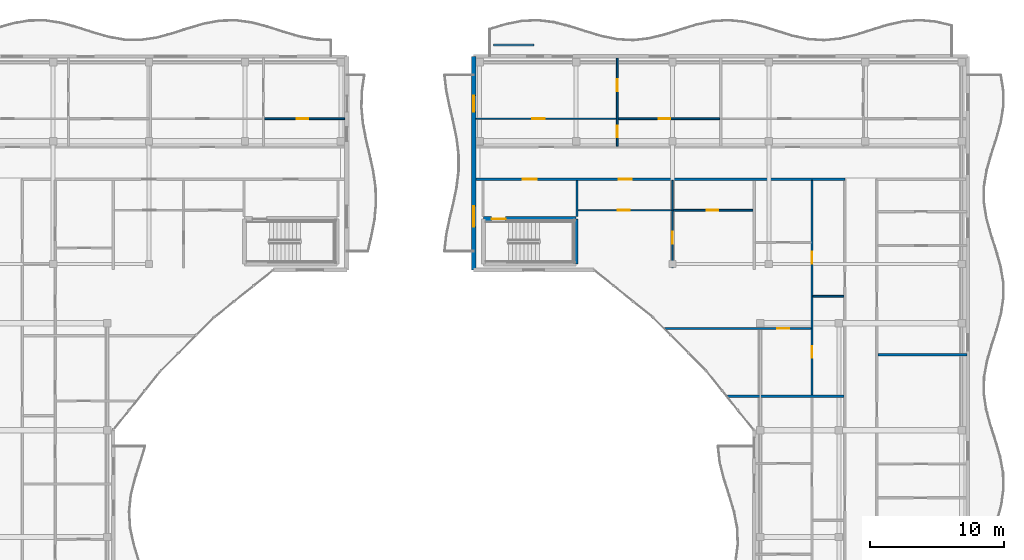
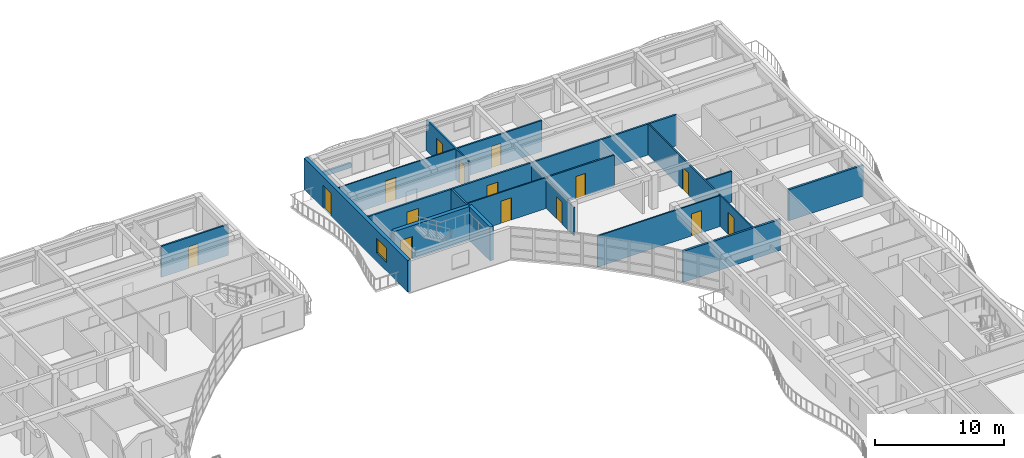
# One storey, part 43 of 68: 18 walls, 15 doors, 1 window, 16 openings.
"""IFC4 building model written with IfcOpenShell, lengths in metres."""

from ifc_helpers import new_model, si_unit, direction, frame, frame_2d, origin, place, context, subcontext, project, spatial, rectangle, extrude, material, layer, layer_set, type_object, element, fill, save


model = new_model("IFC4")

# Units and contexts
model_context = context("Model", 3, precision=1e-05, world=origin(), true_north=direction((0.0, 1.0)))
body_context = subcontext(model_context, "Body", "Model", "MODEL_VIEW")
ifc_project = project(units=[si_unit("LENGTHUNIT", "METRE"), si_unit("AREAUNIT", "SQUARE_METRE"), si_unit("VOLUMEUNIT", "CUBIC_METRE"), si_unit("PLANEANGLEUNIT", "RADIAN"), si_unit("MASSUNIT", "GRAM", prefix="KILO")], contexts=[model_context])

# Site, building, storey
site_placement = place(None, origin())
site = spatial("IfcSite", under=ifc_project, at=site_placement, CompositionType="ELEMENT")
building_placement = place(site_placement, origin())
building = spatial("IfcBuilding", under=site, at=building_placement, Name="Keldmere Railside Commons", CompositionType="ELEMENT")
storey_placement = place(building_placement, frame((0.0, 0.0, 23.360107421875)))
storey = spatial("IfcBuildingStorey", under=building, at=storey_placement, Name="L07", CompositionType="ELEMENT", Elevation=23.360107421875)

# Walls
ifc_material_1 = material(Name="Acoustic Gypsum Board Partition", Category="gypsum")
ifc_layer_1 = layer(ifc_material_1, 0.179931640625, Name="Acoustic Demising Partition 180")
ifc_layer_set_1 = layer_set([ifc_layer_1], Name="Acoustic Gypsum Board Partition")
wall_type_1 = type_object("IfcWallType", Name="Acoustic Demising Partition 180", PredefinedType="PARTITIONING", material=ifc_layer_set_1)
wall_1_placement = place(storey_placement, frame((166.013427734375, 90.5400390625, 0.0), z_axis=(0.0, 0.0, 1.0), x_axis=(1.0, 0.0, 0.0)))
element("IfcWall", 1, at=wall_1_placement, inside=storey, type_object=wall_type_1, Name="IW-1 IW-L07-1691", PredefinedType="PARTITIONING", context=body_context, shape_type="SweptSolid", body=[
    extrude(rectangle(XDim=8.70654296875, YDim=0.179931640625, at=frame_2d((4.353271484375, 0.0))), origin(), (0.0, 0.0, 1.0), 2.934814453125),
])
wall_2_placement = place(storey_placement, frame((177.280029296875, 93.64990234375, 0.0), z_axis=(0.0, 0.0, 1.0), x_axis=(1.0, 0.0, 0.0)))
element("IfcWall", 2, at=wall_2_placement, inside=storey, type_object=wall_type_1, Name="IW-1 IW-L07-1714", PredefinedType="PARTITIONING", context=body_context, shape_type="SweptSolid", body=[
    extrude(rectangle(XDim=6.679931640625, YDim=0.179931640625, at=frame_2d((3.33984375, 0.0))), origin(), (0.0, 0.0, 1.0), 2.934814453125),
])

# Wall, openings, doors
ifc_layer_2 = layer(ifc_material_1, 0.1201171875, Name="Apartment Interior Partition 120")
ifc_layer_set_2 = layer_set([ifc_layer_2], Name="Acoustic Gypsum Board Partition")
wall_type_2 = type_object("IfcWallType", Name="Apartment Interior Partition 120", PredefinedType="PARTITIONING", material=ifc_layer_set_2)
wall_3_placement = place(storey_placement, frame((172.340087890625, 90.6298828125, 0.0), z_axis=(0.0, 0.0, 1.0), x_axis=(0.0, 1.0, 0.0)))
wall_3 = element("IfcWall", 3, at=wall_3_placement, inside=storey, type_object=wall_type_2, Name="IW-4 IW-L07-1700", PredefinedType="PARTITIONING", context=body_context, shape_type="SweptSolid", body=[
    extrude(rectangle(XDim=16.090087890625, YDim=0.1201171875, at=frame_2d((8.044921875, 0.0))), origin(), (0.0, 0.0, 1.0), 2.934814453125),
])
opening_1_placement = place(wall_3_placement, frame((2.81201171875, 0.0, 0.0)))
opening_1 = element("IfcOpeningElement", 4, at=opening_1_placement, cuts=wall_3, Name="Opening ID-04", PredefinedType="OPENING", context=body_context, shape_type="SweptSolid", body=[
    extrude(rectangle(XDim=0.860107421875, YDim=2.10009765625, at=frame_2d((0.43017578125, 1.050048828125))), frame((0.0, 0.070068359375, 0.0), z_axis=(0.0, -1.0, 0.0), x_axis=(1.0, 0.0, 0.0)), (0.0, 0.0, 1.0), 0.14013671875),
])
opening_2_placement = place(wall_3_placement, frame((9.833251953125, 0.0, 0.0)))
opening_2 = element("IfcOpeningElement", 5, at=opening_2_placement, cuts=wall_3, Name="Opening ID-03", PredefinedType="OPENING", context=body_context, shape_type="SweptSolid", body=[
    extrude(rectangle(XDim=0.919921875, YDim=2.10009765625, at=frame_2d((0.4599609375, 1.050048828125))), frame((0.0, 0.070068359375, 0.0), z_axis=(0.0, -1.0, 0.0), x_axis=(1.0, 0.0, 0.0)), (0.0, 0.0, 1.0), 0.14013671875),
])
ifc_material_2 = material(Name="Engineered Oak Timber", Category="wood")
door_type_1 = type_object("IfcDoorType", Name="Apartment Bathroom Door 860x2100", OperationType="NOTDEFINED", PredefinedType="DOOR", material=ifc_material_2)
door_1_placement = place(opening_1_placement, origin())
door_1 = element("IfcDoor", 6, at=door_1_placement, inside=storey, type_object=door_type_1, Name="ID-04 IDR-L07-1543", OperationType="SINGLE_SWING_LEFT", OverallHeight=2.10009765625, OverallWidth=0.860107421875, PredefinedType="DOOR", context=body_context, shape_type="SweptSolid", body=[
    extrude(rectangle(XDim=0.860107421875, YDim=2.10009765625, at=frame_2d((0.43017578125, 1.050048828125))), frame((0.0, 0.02490234375, 0.0), z_axis=(0.0, -1.0, 0.0), x_axis=(1.0, 0.0, 0.0)), (0.0, 0.0, 1.0), 0.050048828125),
])
fill(opening_1, door_1)
door_type_2 = type_object("IfcDoorType", Name="Kitchen Pocket-Frame Swing Door 920x2100", OperationType="NOTDEFINED", PredefinedType="DOOR", material=ifc_material_2)
door_2_placement = place(opening_2_placement, origin())
door_2 = element("IfcDoor", 7, at=door_2_placement, inside=storey, type_object=door_type_2, Name="ID-03 IDR-L07-1544", OperationType="SINGLE_SWING_RIGHT", OverallHeight=2.10009765625, OverallWidth=0.919921875, PredefinedType="DOOR", context=body_context, shape_type="SweptSolid", body=[
    extrude(rectangle(XDim=0.919921875, YDim=2.10009765625, at=frame_2d((0.4599609375, 1.050048828125))), frame((0.0, 0.02490234375, 0.0), z_axis=(0.0, -1.0, 0.0), x_axis=(1.0, 0.0, 0.0)), (0.0, 0.0, 1.0), 0.050048828125),
])
fill(opening_2, door_2)

# Wall, opening, door
wall_4_placement = place(storey_placement, frame((161.3125, 95.6201171875, 0.0), z_axis=(0.0, 0.0, 1.0), x_axis=(1.0, 0.0, 0.0)))
wall_4 = element("IfcWall", 8, at=wall_4_placement, inside=storey, type_object=wall_type_2, Name="IW-4 IW-L07-1702", PredefinedType="PARTITIONING", context=body_context, shape_type="SweptSolid", body=[
    extrude(rectangle(XDim=10.967529296875, YDim=0.1201171875, at=frame_2d((5.48388671875, 0.0))), origin(), (0.0, 0.0, 1.0), 2.934814453125),
])
opening_3_placement = place(wall_4_placement, frame((8.422119140625, 0.0, 0.0)))
opening_3 = element("IfcOpeningElement", 9, at=opening_3_placement, cuts=wall_4, Name="Opening ID-01", PredefinedType="OPENING", context=body_context, shape_type="SweptSolid", body=[
    extrude(rectangle(XDim=0.89990234375, YDim=2.10009765625, at=frame_2d((0.449951171875, 1.050048828125))), frame((0.0, 0.070068359375, 0.0), z_axis=(0.0, -1.0, 0.0), x_axis=(1.0, 0.0, 0.0)), (0.0, 0.0, 1.0), 0.14013671875),
])
door_type_3 = type_object("IfcDoorType", Name="Primary Bedroom Door 900x2100", OperationType="NOTDEFINED", PredefinedType="DOOR", material=ifc_material_2)
door_3_placement = place(opening_3_placement, origin())
door_3 = element("IfcDoor", 10, at=door_3_placement, inside=storey, type_object=door_type_3, Name="ID-01 IDR-L07-1546", OperationType="SINGLE_SWING_RIGHT", OverallHeight=2.10009765625, OverallWidth=0.89990234375, PredefinedType="DOOR", context=body_context, shape_type="SweptSolid", body=[
    extrude(rectangle(XDim=0.89990234375, YDim=2.10009765625, at=frame_2d((0.449951171875, 1.050048828125))), frame((0.0, 0.02490234375, 0.0), z_axis=(0.0, -1.0, 0.0), x_axis=(1.0, 0.0, 0.0)), (0.0, 0.0, 1.0), 0.050048828125),
])
fill(opening_3, door_3)

# Wall, openings, doors
wall_5_placement = place(storey_placement, frame((157.75, 109.280029296875, 0.0), z_axis=(0.0, 0.0, 1.0), x_axis=(0.0, 1.0, 0.0)))
wall_5 = element("IfcWall", 11, at=wall_5_placement, inside=storey, type_object=wall_type_2, Name="IW-4 IW-L07-1705", PredefinedType="PARTITIONING", context=body_context, shape_type="SweptSolid", body=[
    extrude(rectangle(XDim=6.590087890625, YDim=0.1201171875, at=frame_2d((3.294921875, 0.0))), origin(), (0.0, 0.0, 1.0), 2.934814453125),
])
opening_4_placement = place(wall_5_placement, frame((0.656005859375, 0.0, 0.0)))
opening_4 = element("IfcOpeningElement", 12, at=opening_4_placement, cuts=wall_5, Name="Opening ID-04", PredefinedType="OPENING", context=body_context, shape_type="SweptSolid", body=[
    extrude(rectangle(XDim=0.860107421875, YDim=2.10009765625, at=frame_2d((0.43017578125, 1.050048828125))), frame((0.0, 0.070068359375, 0.0), z_axis=(0.0, -1.0, 0.0), x_axis=(1.0, 0.0, 0.0)), (0.0, 0.0, 1.0), 0.14013671875),
])
opening_5_placement = place(wall_5_placement, frame((4.093017578125, 0.0, 0.0)))
opening_5 = element("IfcOpeningElement", 13, at=opening_5_placement, cuts=wall_5, Name="Opening ID-01", PredefinedType="OPENING", context=body_context, shape_type="SweptSolid", body=[
    extrude(rectangle(XDim=0.89990234375, YDim=2.10009765625, at=frame_2d((0.449951171875, 1.050048828125))), frame((0.0, 0.070068359375, 0.0), z_axis=(0.0, -1.0, 0.0), x_axis=(1.0, 0.0, 0.0)), (0.0, 0.0, 1.0), 0.14013671875),
])
door_4_placement = place(opening_4_placement, origin())
door_4 = element("IfcDoor", 14, at=door_4_placement, inside=storey, type_object=door_type_1, Name="ID-04 IDR-L07-1550", OperationType="SINGLE_SWING_RIGHT", OverallHeight=2.10009765625, OverallWidth=0.860107421875, PredefinedType="DOOR", context=body_context, shape_type="SweptSolid", body=[
    extrude(rectangle(XDim=0.860107421875, YDim=2.10009765625, at=frame_2d((0.43017578125, 1.050048828125))), frame((0.0, 0.02490234375, 0.0), z_axis=(0.0, -1.0, 0.0), x_axis=(1.0, 0.0, 0.0)), (0.0, 0.0, 1.0), 0.050048828125),
])
fill(opening_4, door_4)
door_5_placement = place(opening_5_placement, origin())
door_5 = element("IfcDoor", 15, at=door_5_placement, inside=storey, type_object=door_type_3, Name="ID-01 IDR-L07-1551", OperationType="SINGLE_SWING_LEFT", OverallHeight=2.10009765625, OverallWidth=0.89990234375, PredefinedType="DOOR", context=body_context, shape_type="SweptSolid", body=[
    extrude(rectangle(XDim=0.89990234375, YDim=2.10009765625, at=frame_2d((0.449951171875, 1.050048828125))), frame((0.0, 0.02490234375, 0.0), z_axis=(0.0, -1.0, 0.0), x_axis=(1.0, 0.0, 0.0)), (0.0, 0.0, 1.0), 0.050048828125),
])
fill(opening_5, door_5)

# Wall, opening, door
wall_6_placement = place(storey_placement, frame((161.8798828125, 100.159912109375, 0.0), z_axis=(0.0, 0.0, 1.0), x_axis=(0.0, 1.0, 0.0)))
wall_6 = element("IfcWall", 16, at=wall_6_placement, inside=storey, type_object=wall_type_2, Name="IW-4 IW-L07-1711", PredefinedType="PARTITIONING", context=body_context, shape_type="SweptSolid", body=[
    extrude(rectangle(XDim=6.56005859375, YDim=0.1201171875, at=frame_2d((3.280029296875, 0.0))), origin(), (0.0, 0.0, 1.0), 2.679931640625),
])
opening_6_placement = place(wall_6_placement, frame((1.810302734375, 0.0, 0.0)))
opening_6 = element("IfcOpeningElement", 17, at=opening_6_placement, cuts=wall_6, Name="Opening ID-02", PredefinedType="OPENING", context=body_context, shape_type="SweptSolid", body=[
    extrude(rectangle(XDim=0.8798828125, YDim=2.10009765625, at=frame_2d((0.43994140625, 1.050048828125))), frame((0.0, 0.070068359375, 0.0), z_axis=(0.0, -1.0, 0.0), x_axis=(1.0, 0.0, 0.0)), (0.0, 0.0, 1.0), 0.14013671875),
])
door_type_4 = type_object("IfcDoorType", Name="Secondary Bedroom Door 880x2100", OperationType="NOTDEFINED", PredefinedType="DOOR", material=ifc_material_2)
door_6_placement = place(opening_6_placement, origin())
door_6 = element("IfcDoor", 18, at=door_6_placement, inside=storey, type_object=door_type_4, Name="ID-02 IDR-L07-1560", OperationType="SINGLE_SWING_RIGHT", OverallHeight=2.10009765625, OverallWidth=0.8798828125, PredefinedType="DOOR", context=body_context, shape_type="SweptSolid", body=[
    extrude(rectangle(XDim=0.8798828125, YDim=2.10009765625, at=frame_2d((0.43994140625, 1.050048828125))), frame((0.0, 0.02490234375, 0.0), z_axis=(0.0, -1.0, 0.0), x_axis=(1.0, 0.0, 0.0)), (0.0, 0.0, 1.0), 0.050048828125),
])
fill(opening_6, door_6)

# Wall
ifc_material_3 = material(Name="White Precast Concrete H-35 (C35/45)", Category="concrete")
ifc_layer_3 = layer(ifc_material_3, 0.169921875, Name="Balcony Planter Kerb Wall 170")
ifc_layer_set_3 = layer_set([ifc_layer_3], Name="White Precast Concrete H-35 (C35/45)")
wall_type_3 = type_object("IfcWallType", Name="Balcony Planter Kerb Wall 170", PredefinedType="PARAPET", material=ifc_layer_set_3)
wall_7_placement = place(storey_placement, frame((148.5, 116.85009765625, 0.0), z_axis=(0.0, 0.0, 1.0), x_axis=(1.0, 0.0, 0.0)))
element("IfcWall", 19, at=wall_7_placement, inside=storey, type_object=wall_type_3, Name="PW-2 PKBA-L07-0930", PredefinedType="PARAPET", context=body_context, shape_type="SweptSolid", body=[
    extrude(rectangle(XDim=3.0, YDim=0.169921875, at=frame_2d((1.5, 0.0))), origin(), (0.0, 0.0, 1.0), 0.449951171875),
])

# Wall, opening, door
ifc_layer_4 = layer(ifc_material_1, 0.10009765625, Name="Closet Light Partition 100")
ifc_layer_set_4 = layer_set([ifc_layer_4], Name="Acoustic Gypsum Board Partition")
wall_type_4 = type_object("IfcWallType", Name="Closet Light Partition 100", PredefinedType="PARTITIONING", material=ifc_layer_set_4)
wall_8_placement = place(storey_placement, frame((147.159912109375, 111.330078125, 0.0), z_axis=(0.0, 0.0, 1.0), x_axis=(1.0, 0.0, 0.0)))
wall_8 = element("IfcWall", 20, at=wall_8_placement, inside=storey, type_object=wall_type_4, Name="IW-6 IW-L07-1707", PredefinedType="PARTITIONING", context=body_context, shape_type="SweptSolid", body=[
    extrude(rectangle(XDim=10.530029296875, YDim=0.10009765625, at=frame_2d((5.26513671875, 0.0))), origin(), (0.0, 0.0, 1.0), 2.934814453125),
])
opening_7_placement = place(wall_8_placement, frame((4.236083984375, 0.0, 0.0)))
opening_7 = element("IfcOpeningElement", 21, at=opening_7_placement, cuts=wall_8, Name="Opening ID-03", PredefinedType="OPENING", context=body_context, shape_type="SweptSolid", body=[
    extrude(rectangle(XDim=0.919921875, YDim=2.10009765625, at=frame_2d((0.4599609375, 1.050048828125))), frame((0.0, 0.06005859375, 0.0), z_axis=(0.0, -1.0, 0.0), x_axis=(1.0, 0.0, 0.0)), (0.0, 0.0, 1.0), 0.1201171875),
])
door_7_placement = place(opening_7_placement, origin())
door_7 = element("IfcDoor", 22, at=door_7_placement, inside=storey, type_object=door_type_2, Name="ID-03 IDR-L07-1549", OperationType="SINGLE_SWING_LEFT", OverallHeight=2.10009765625, OverallWidth=0.919921875, PredefinedType="DOOR", context=body_context, shape_type="SweptSolid", body=[
    extrude(rectangle(XDim=0.919921875, YDim=2.10009765625, at=frame_2d((0.4599609375, 1.050048828125))), frame((0.0, 0.02490234375, 0.0), z_axis=(0.0, -1.0, 0.0), x_axis=(1.0, 0.0, 0.0)), (0.0, 0.0, 1.0), 0.050048828125),
])
fill(opening_7, door_7)

wall_9_placement = place(storey_placement, frame((154.800048828125, 104.469970703125, 0.0), z_axis=(0.0, 0.0, 1.0), x_axis=(1.0, 0.0, 0.0)))
wall_9 = element("IfcWall", 23, at=wall_9_placement, inside=storey, type_object=wall_type_4, Name="IW-6 IW-L07-1713", PredefinedType="PARTITIONING", context=body_context, shape_type="SweptSolid", body=[
    extrude(rectangle(XDim=7.02001953125, YDim=0.10009765625, at=frame_2d((3.510009765625, 0.0))), origin(), (0.0, 0.0, 1.0), 2.934814453125),
])
opening_8_placement = place(wall_9_placement, frame((2.9736328125, 0.0, 0.0)))
opening_8 = element("IfcOpeningElement", 24, at=opening_8_placement, cuts=wall_9, Name="Opening ID-03", PredefinedType="OPENING", context=body_context, shape_type="SweptSolid", body=[
    extrude(rectangle(XDim=0.919921875, YDim=2.10009765625, at=frame_2d((0.4599609375, 1.050048828125))), frame((0.0, 0.06005859375, 0.0), z_axis=(0.0, -1.0, 0.0), x_axis=(1.0, 0.0, 0.0)), (0.0, 0.0, 1.0), 0.1201171875),
])
door_8_placement = place(opening_8_placement, origin())
door_8 = element("IfcDoor", 25, at=door_8_placement, inside=storey, type_object=door_type_2, Name="ID-03 IDR-L07-1559", OperationType="SINGLE_SWING_LEFT", OverallHeight=2.10009765625, OverallWidth=0.919921875, PredefinedType="DOOR", context=body_context, shape_type="SweptSolid", body=[
    extrude(rectangle(XDim=0.919921875, YDim=2.10009765625, at=frame_2d((0.4599609375, 1.050048828125))), frame((0.0, 0.02490234375, 0.0), z_axis=(0.0, -1.0, 0.0), x_axis=(1.0, 0.0, 0.0)), (0.0, 0.0, 1.0), 0.050048828125),
])
fill(opening_8, door_8)

# Wall, openings, doors
ifc_layer_5 = layer(ifc_material_1, 0.159912109375, Name="Corridor Fire Partition 160")
ifc_layer_set_5 = layer_set([ifc_layer_5], Name="Acoustic Gypsum Board Partition")
wall_type_5 = type_object("IfcWallType", Name="Corridor Fire Partition 160", PredefinedType="PARTITIONING", material=ifc_layer_set_5)
wall_10_placement = place(storey_placement, frame((147.159912109375, 106.800048828125, 0.0), z_axis=(0.0, 0.0, 1.0), x_axis=(1.0, 0.0, 0.0)))
wall_10 = element("IfcWall", 26, at=wall_10_placement, inside=storey, type_object=wall_type_5, Name="IW-2 IW-L07-1684", PredefinedType="PARTITIONING", context=body_context, shape_type="SweptSolid", body=[
    extrude(rectangle(XDim=27.64013671875, YDim=0.159912109375, at=frame_2d((13.820068359375, 0.0))), origin(), (0.0, 0.0, 1.0), 2.934814453125),
])
opening_9_placement = place(wall_10_placement, frame((3.514892578125, 0.0, 0.0)))
opening_9 = element("IfcOpeningElement", 27, at=opening_9_placement, cuts=wall_10, Name="Opening FD-1", PredefinedType="OPENING", context=body_context, shape_type="SweptSolid", body=[
    extrude(rectangle(XDim=1.050048828125, YDim=2.14990234375, at=frame_2d((0.52490234375, 1.074951171875))), frame((0.0, 0.08984375, 0.0), z_axis=(0.0, -1.0, 0.0), x_axis=(1.0, 0.0, 0.0)), (0.0, 0.0, 1.0), 0.179931640625),
])
opening_10_placement = place(wall_10_placement, frame((10.68994140625, 0.0, 0.0)))
opening_10 = element("IfcOpeningElement", 28, at=opening_10_placement, cuts=wall_10, Name="Opening FD-7", PredefinedType="OPENING", context=body_context, shape_type="SweptSolid", body=[
    extrude(rectangle(XDim=0.97998046875, YDim=2.14990234375, at=frame_2d((0.489990234375, 1.074951171875))), frame((0.0, 0.08984375, 0.0), z_axis=(0.0, -1.0, 0.0), x_axis=(1.0, 0.0, 0.0)), (0.0, 0.0, 1.0), 0.179931640625),
])
door_type_5 = type_object("IfcDoorType", Name="Apartment Entrance Acoustic Fire Door 980x2150", OperationType="NOTDEFINED", PredefinedType="DOOR", material=ifc_material_2)
door_9_placement = place(opening_10_placement, origin())
door_9 = element("IfcDoor", 29, at=door_9_placement, inside=storey, type_object=door_type_5, Name="FD-7 IDR-L07-1558", OperationType="SINGLE_SWING_RIGHT", OverallHeight=2.14990234375, OverallWidth=0.97998046875, PredefinedType="DOOR", context=body_context, shape_type="SweptSolid", body=[
    extrude(rectangle(XDim=0.97998046875, YDim=2.14990234375, at=frame_2d((0.489990234375, 1.074951171875))), frame((0.0, 0.02490234375, 0.0), z_axis=(0.0, -1.0, 0.0), x_axis=(1.0, 0.0, 0.0)), (0.0, 0.0, 1.0), 0.050048828125),
])
fill(opening_10, door_9)
ifc_material_4 = material(Name="Steel F-24 (S235)", Category="steel")
door_type_6 = type_object("IfcDoorType", Name="Stair Core Fire Door 1050x2150", OperationType="NOTDEFINED", PredefinedType="DOOR", material=ifc_material_4)
door_10_placement = place(opening_9_placement, origin())
door_10 = element("IfcDoor", 30, at=door_10_placement, inside=storey, type_object=door_type_6, Name="FD-1 IDR-L07-1530", OperationType="SINGLE_SWING_RIGHT", OverallHeight=2.14990234375, OverallWidth=1.050048828125, PredefinedType="DOOR", context=body_context, shape_type="SweptSolid", body=[
    extrude(rectangle(XDim=1.050048828125, YDim=2.14990234375, at=frame_2d((0.52490234375, 1.074951171875))), frame((0.0, 0.02490234375, 0.0), z_axis=(0.0, -1.0, 0.0), x_axis=(1.0, 0.0, 0.0)), (0.0, 0.0, 1.0), 0.050048828125),
])
fill(opening_9, door_10)

# Wall, openings, door, window
ifc_material_5 = material(Name="Concrete H-35 (C35/45)", Category="concrete")
ifc_layer_6 = layer(ifc_material_5, 0.320068359375, Name="Exterior Shear Wall 320")
ifc_layer_set_6 = layer_set([ifc_layer_6], Name="Concrete H-35 (C35/45)")
wall_type_6 = type_object("IfcWallType", Name="Exterior Shear Wall 320", PredefinedType="SHEAR", material=ifc_layer_set_6)
wall_11_placement = place(storey_placement, frame((147.0, 100.0, 0.0), z_axis=(0.0, 0.0, 1.0), x_axis=(0.0, 1.0, 0.0)))
wall_11 = element("IfcWall", 31, at=wall_11_placement, inside=storey, type_object=wall_type_6, Name="ESW-2 EXTA-L07-0927", PredefinedType="SHEAR", context=body_context, shape_type="SweptSolid", body=[
    extrude(rectangle(XDim=16.0, YDim=0.320068359375, at=frame_2d((8.0, 0.0))), origin(), (0.0, 0.0, 1.0), 2.97998046875),
])
opening_11_placement = place(wall_11_placement, frame((3.22509765625, 0.0, 0.820068359375)))
opening_11 = element("IfcOpeningElement", 32, at=opening_11_placement, cuts=wall_11, Name="Opening WN-07", PredefinedType="OPENING", context=body_context, shape_type="SweptSolid", body=[
    extrude(rectangle(XDim=1.550048828125, YDim=1.39990234375, at=frame_2d((0.77490234375, 0.699951171875))), frame((0.0, 0.169921875, 0.0), z_axis=(0.0, -1.0, 0.0), x_axis=(1.0, 0.0, 0.0)), (0.0, 0.0, 1.0), 0.340087890625),
])
opening_12_placement = place(wall_11_placement, frame((11.85009765625, 0.0, 0.0)))
opening_12 = element("IfcOpeningElement", 33, at=opening_12_placement, cuts=wall_11, Name="Opening BD-01", PredefinedType="OPENING", context=body_context, shape_type="SweptSolid", body=[
    extrude(rectangle(XDim=1.199951171875, YDim=2.199951171875, at=frame_2d((0.60009765625, 1.10009765625))), frame((0.0, 0.169921875, 0.0), z_axis=(0.0, -1.0, 0.0), x_axis=(1.0, 0.0, 0.0)), (0.0, 0.0, 1.0), 0.340087890625),
])
ifc_material_6 = material(Name="Thermally Broken Aluminium", Category="aluminium")
door_type_7 = type_object("IfcDoorType", Name="Apartment Living Wave-Balcony Glazed Door 1200x2200", OperationType="NOTDEFINED", PredefinedType="DOOR", material=ifc_material_6)
door_11_placement = place(opening_12_placement, origin())
door_11 = element("IfcDoor", 34, at=door_11_placement, inside=storey, type_object=door_type_7, Name="BD-01 DR-L07-0260", OperationType="SINGLE_SWING_RIGHT", OverallHeight=2.199951171875, OverallWidth=1.199951171875, PredefinedType="DOOR", context=body_context, shape_type="SweptSolid", body=[
    extrude(rectangle(XDim=1.199951171875, YDim=2.199951171875, at=frame_2d((0.60009765625, 1.10009765625))), frame((0.0, 0.02490234375, 0.0), z_axis=(0.0, -1.0, 0.0), x_axis=(1.0, 0.0, 0.0)), (0.0, 0.0, 1.0), 0.050048828125),
])
fill(opening_12, door_11)
ifc_material_7 = material(Name="Low-E Insulated Double Glazing", Category="glass")
window_type = type_object("IfcWindowType", Name="Primary Bedroom South Window 1550x1400", PartitioningType="SINGLE_PANEL", PredefinedType="WINDOW", material=ifc_material_7)
window_placement = place(opening_11_placement, origin())
window = element("IfcWindow", 35, at=window_placement, inside=storey, type_object=window_type, Name="WN-07 WIN-L07-0714", OverallHeight=1.39990234375, OverallWidth=1.550048828125, PartitioningType="SINGLE_PANEL", PredefinedType="WINDOW", context=body_context, shape_type="SweptSolid", body=[
    extrude(rectangle(XDim=1.550048828125, YDim=1.39990234375, at=frame_2d((0.77490234375, 0.699951171875))), frame((0.0, 0.030029296875, 0.0), z_axis=(0.0, -1.0, 0.0), x_axis=(1.0, 0.0, 0.0)), (0.0, 0.0, 1.0), 0.06005859375),
])
fill(opening_11, window)

# Wall
ifc_layer_7 = layer(ifc_material_5, 0.300048828125, Name="Interior Shear Wall 300")
ifc_layer_set_7 = layer_set([ifc_layer_7], Name="Concrete H-35 (C35/45)")
wall_type_7 = type_object("IfcWallType", Name="Interior Shear Wall 300", PredefinedType="SHEAR", material=ifc_layer_set_7)
wall_12_placement = place(storey_placement, frame((154.64990234375, 100.449951171875, 0.0), z_axis=(0.0, 0.0, 1.0), x_axis=(0.0, 1.0, 0.0)))
element("IfcWall", 36, at=wall_12_placement, inside=storey, type_object=wall_type_7, Name="ISW-2 COREA2E-L07-0803", PredefinedType="SHEAR", context=body_context, shape_type="SweptSolid", body=[
    extrude(rectangle(XDim=3.3701171875, YDim=0.300048828125, at=frame_2d((1.68505859375, 0.0))), origin(), (0.0, 0.0, 1.0), 3.199951171875),
])

# Wall, opening, door
ifc_layer_8 = layer(ifc_material_5, 0.340087890625, Name="Interior Shear Wall 340")
ifc_layer_set_8 = layer_set([ifc_layer_8], Name="Concrete H-35 (C35/45)")
wall_type_8 = type_object("IfcWallType", Name="Interior Shear Wall 340", PredefinedType="SHEAR", material=ifc_layer_set_8)
wall_13_placement = place(storey_placement, frame((154.64990234375, 103.820068359375, 0.0), z_axis=(0.0, 0.0, 1.0), x_axis=(-1.0, 0.0, 0.0)))
wall_13 = element("IfcWall", 37, at=wall_13_placement, inside=storey, type_object=wall_type_8, Name="ISW-1 COREA2N-L07-0801", PredefinedType="SHEAR", context=body_context, shape_type="SweptSolid", body=[
    extrude(rectangle(XDim=6.89990234375, YDim=0.340087890625, at=frame_2d((3.449951171875, 0.0))), origin(), (0.0, 0.0, 1.0), 3.199951171875),
])
opening_13_placement = place(wall_13_placement, frame((5.25, 0.0, 0.0)))
opening_13 = element("IfcOpeningElement", 38, at=opening_13_placement, cuts=wall_13, Name="Opening FD-1", PredefinedType="OPENING", context=body_context, shape_type="SweptSolid", body=[
    extrude(rectangle(XDim=1.050048828125, YDim=2.14990234375, at=frame_2d((0.52490234375, 1.074951171875))), frame((0.0, 0.179931640625, 0.0), z_axis=(0.0, -1.0, 0.0), x_axis=(1.0, 0.0, 0.0)), (0.0, 0.0, 1.0), 0.360107421875),
])
door_12_placement = place(opening_13_placement, origin())
door_12 = element("IfcDoor", 39, at=door_12_placement, inside=storey, type_object=door_type_6, Name="FD-1 A2 L07", OperationType="SINGLE_SWING_RIGHT", OverallHeight=2.14990234375, OverallWidth=1.050048828125, PredefinedType="DOOR", context=body_context, shape_type="SweptSolid", body=[
    extrude(rectangle(XDim=1.050048828125, YDim=2.14990234375, at=frame_2d((0.52490234375, 1.074951171875))), frame((0.0, 0.02490234375, 0.0), z_axis=(0.0, -1.0, 0.0), x_axis=(1.0, 0.0, 0.0)), (0.0, 0.0, 1.0), 0.050048828125),
])
fill(opening_13, door_12)

# Wall
ifc_layer_9 = layer(ifc_material_1, 0.14990234375, Name="Lobby Rated Partition 150")
ifc_layer_set_9 = layer_set([ifc_layer_9], Name="Acoustic Gypsum Board Partition")
wall_type_9 = type_object("IfcWallType", Name="Lobby Rated Partition 150", PredefinedType="PARTITIONING", material=ifc_layer_set_9)
wall_14_placement = place(storey_placement, frame((154.719970703125, 103.989990234375, 0.0), z_axis=(0.0, 0.0, 1.0), x_axis=(0.0, 1.0, 0.0)))
element("IfcWall", 40, at=wall_14_placement, inside=storey, type_object=wall_type_9, Name="IW-3 IW-L07-1689", PredefinedType="PARTITIONING", context=body_context, shape_type="SweptSolid", body=[
    extrude(rectangle(XDim=2.72998046875, YDim=0.14990234375, at=frame_2d((1.364990234375, 0.0))), origin(), (0.0, 0.0, 1.0), 2.934814453125),
])

# Wall, opening, door
ifc_layer_10 = layer(ifc_material_1, 0.139892578125, Name="Wet-Room Sanitary Partition 140")
ifc_layer_set_10 = layer_set([ifc_layer_10], Name="Acoustic Gypsum Board Partition")
wall_type_10 = type_object("IfcWallType", Name="Wet-Room Sanitary Partition 140", PredefinedType="PARTITIONING", material=ifc_layer_set_10)
wall_15_placement = place(storey_placement, frame((131.320068359375, 111.330078125, 0.0), z_axis=(0.0, 0.0, 1.0), x_axis=(1.0, 0.0, 0.0)))
wall_15 = element("IfcWall", 41, at=wall_15_placement, inside=storey, type_object=wall_type_10, Name="IW-5 IW-L07-1218", PredefinedType="PARTITIONING", context=body_context, shape_type="SweptSolid", body=[
    extrude(rectangle(XDim=6.02001953125, YDim=0.139892578125, at=frame_2d((3.010009765625, 0.0))), origin(), (0.0, 0.0, 1.0), 2.934814453125),
])
opening_14_placement = place(wall_15_placement, frame((2.431884765625, 0.0, 0.0)))
opening_14 = element("IfcOpeningElement", 42, at=opening_14_placement, cuts=wall_15, Name="Opening ID-06", PredefinedType="OPENING", context=body_context, shape_type="SweptSolid", body=[
    extrude(rectangle(XDim=0.85009765625, YDim=2.050048828125, at=frame_2d((0.425048828125, 1.02490234375))), frame((0.0, 0.079833984375, 0.0), z_axis=(0.0, -1.0, 0.0), x_axis=(1.0, 0.0, 0.0)), (0.0, 0.0, 1.0), 0.159912109375),
])
door_type_8 = type_object("IfcDoorType", Name="Storage Closet Door 850x2050", OperationType="NOTDEFINED", PredefinedType="DOOR", material=ifc_material_2)
door_13_placement = place(opening_14_placement, origin())
door_13 = element("IfcDoor", 43, at=door_13_placement, inside=storey, type_object=door_type_8, Name="ID-06 IDR-L07-1085", OperationType="SINGLE_SWING_LEFT", OverallHeight=2.050048828125, OverallWidth=0.85009765625, PredefinedType="DOOR", context=body_context, shape_type="SweptSolid", body=[
    extrude(rectangle(XDim=0.85009765625, YDim=2.050048828125, at=frame_2d((0.425048828125, 1.02490234375))), frame((0.0, 0.02490234375, 0.0), z_axis=(0.0, -1.0, 0.0), x_axis=(1.0, 0.0, 0.0)), (0.0, 0.0, 1.0), 0.050048828125),
])
fill(opening_14, door_13)

# Wall
wall_16_placement = place(storey_placement, frame((172.39990234375, 98.030029296875, 0.0), z_axis=(0.0, 0.0, 1.0), x_axis=(1.0, 0.0, 0.0)))
element("IfcWall", 44, at=wall_16_placement, inside=storey, type_object=wall_type_10, Name="IW-5 IW-L07-1701", PredefinedType="PARTITIONING", context=body_context, shape_type="SweptSolid", body=[
    extrude(rectangle(XDim=2.320068359375, YDim=0.139892578125, at=frame_2d((1.16015625, 0.0))), origin(), (0.0, 0.0, 1.0), 2.934814453125),
])

# Wall, opening, door
wall_17_placement = place(storey_placement, frame((157.81005859375, 111.330078125, 0.0), z_axis=(0.0, 0.0, 1.0), x_axis=(1.0, 0.0, 0.0)))
wall_17 = element("IfcWall", 45, at=wall_17_placement, inside=storey, type_object=wall_type_10, Name="IW-5 IW-L07-1706", PredefinedType="PARTITIONING", context=body_context, shape_type="SweptSolid", body=[
    extrude(rectangle(XDim=7.599853515625, YDim=0.139892578125, at=frame_2d((3.7998046875, 0.0))), origin(), (0.0, 0.0, 1.0), 2.934814453125),
])
opening_15_placement = place(wall_17_placement, frame((3.06396484375, 0.0, 0.0)))
opening_15 = element("IfcOpeningElement", 46, at=opening_15_placement, cuts=wall_17, Name="Opening ID-06", PredefinedType="OPENING", context=body_context, shape_type="SweptSolid", body=[
    extrude(rectangle(XDim=0.85009765625, YDim=2.050048828125, at=frame_2d((0.425048828125, 1.02490234375))), frame((0.0, 0.079833984375, 0.0), z_axis=(0.0, -1.0, 0.0), x_axis=(1.0, 0.0, 0.0)), (0.0, 0.0, 1.0), 0.159912109375),
])
door_14_placement = place(opening_15_placement, origin())
door_14 = element("IfcDoor", 47, at=door_14_placement, inside=storey, type_object=door_type_8, Name="ID-06 IDR-L07-1552", OperationType="SINGLE_SWING_RIGHT", OverallHeight=2.050048828125, OverallWidth=0.85009765625, PredefinedType="DOOR", context=body_context, shape_type="SweptSolid", body=[
    extrude(rectangle(XDim=0.85009765625, YDim=2.050048828125, at=frame_2d((0.425048828125, 1.02490234375))), frame((0.0, 0.02490234375, 0.0), z_axis=(0.0, -1.0, 0.0), x_axis=(1.0, 0.0, 0.0)), (0.0, 0.0, 1.0), 0.050048828125),
])
fill(opening_15, door_14)

wall_18_placement = place(storey_placement, frame((161.93994140625, 104.469970703125, 0.0), z_axis=(0.0, 0.0, 1.0), x_axis=(1.0, 0.0, 0.0)))
wall_18 = element("IfcWall", 48, at=wall_18_placement, inside=storey, type_object=wall_type_10, Name="IW-5 IW-L07-1712", PredefinedType="PARTITIONING", context=body_context, shape_type="SweptSolid", body=[
    extrude(rectangle(XDim=5.969970703125, YDim=0.139892578125, at=frame_2d((2.98486328125, 0.0))), origin(), (0.0, 0.0, 1.0), 2.934814453125),
])
opening_16_placement = place(wall_18_placement, frame((2.53271484375, 0.0, 0.0)))
opening_16 = element("IfcOpeningElement", 49, at=opening_16_placement, cuts=wall_18, Name="Opening ID-04", PredefinedType="OPENING", context=body_context, shape_type="SweptSolid", body=[
    extrude(rectangle(XDim=0.860107421875, YDim=2.10009765625, at=frame_2d((0.43017578125, 1.050048828125))), frame((0.0, 0.079833984375, 0.0), z_axis=(0.0, -1.0, 0.0), x_axis=(1.0, 0.0, 0.0)), (0.0, 0.0, 1.0), 0.159912109375),
])
door_15_placement = place(opening_16_placement, origin())
door_15 = element("IfcDoor", 50, at=door_15_placement, inside=storey, type_object=door_type_1, Name="ID-04 IDR-L07-1561", OperationType="SINGLE_SWING_LEFT", OverallHeight=2.10009765625, OverallWidth=0.860107421875, PredefinedType="DOOR", context=body_context, shape_type="SweptSolid", body=[
    extrude(rectangle(XDim=0.860107421875, YDim=2.10009765625, at=frame_2d((0.43017578125, 1.050048828125))), frame((0.0, 0.02490234375, 0.0), z_axis=(0.0, -1.0, 0.0), x_axis=(1.0, 0.0, 0.0)), (0.0, 0.0, 1.0), 0.050048828125),
])
fill(opening_16, door_15)

save(model, "model.ifc")
